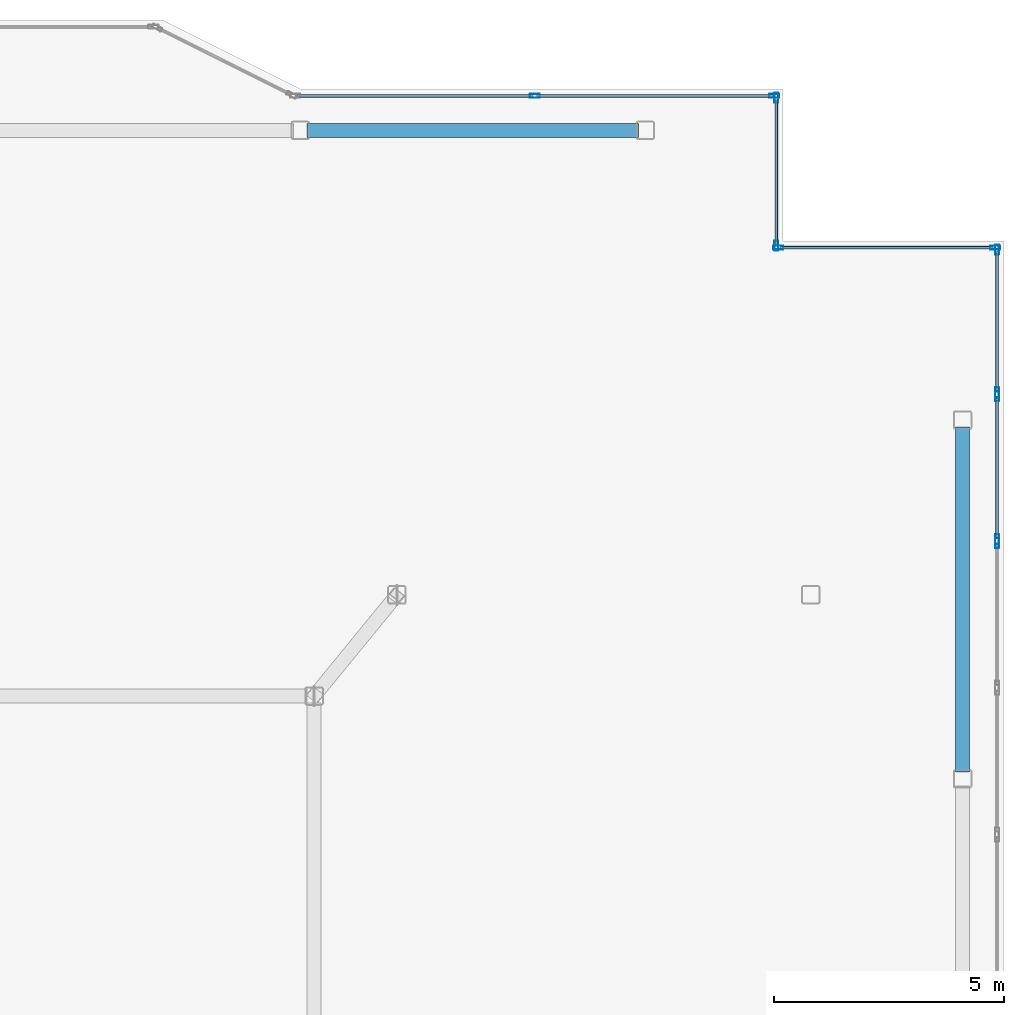
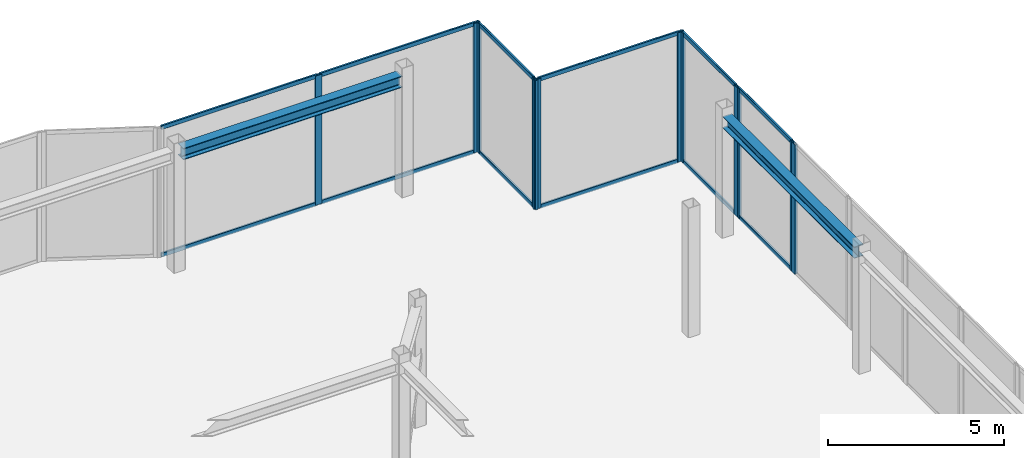
# One storey, part 12 of 14: 23 members, 2 beams, 6 elements without a shape of their own.
"""IFC4 building model written with IfcOpenShell, lengths in metres."""

from ifc_helpers import new_model, si_unit, direction, frame, origin, origin_2d, place, context, subcontext, project, spatial, hollow_rectangle, i_section, extrude, material, layer, layer_set, material_profile, profile_set, type_object, element, aggregate, save


model = new_model("IFC4")

# Units and contexts
model_context = context("Model", 3, precision=1e-05, world=origin(), true_north=direction((0.0, 1.0)))
body_context = subcontext(model_context, "Body", "Model", "MODEL_VIEW")
ifc_project = project(units=[si_unit("LENGTHUNIT", "METRE"), si_unit("AREAUNIT", "SQUARE_METRE"), si_unit("VOLUMEUNIT", "CUBIC_METRE"), si_unit("PLANEANGLEUNIT", "RADIAN"), si_unit("MASSUNIT", "GRAM", prefix="KILO")], contexts=[model_context])

# Site, building, storey
site_placement = place(None, origin())
site = spatial("IfcSite", under=ifc_project, at=site_placement, CompositionType="ELEMENT")
building_placement = place(site_placement, origin())
building = spatial("IfcBuilding", under=site, at=building_placement, Name="Tarnavaz Court Tower", CompositionType="ELEMENT")
storey_placement = place(building_placement, frame((0.0, 0.0, 286.050048828125)))
storey = spatial("IfcBuildingStorey", under=building, at=storey_placement, Name="C02", CompositionType="ELEMENT", Elevation=286.050048828125)

# Beams
ifc_material_1 = material(Name="Steel S355", Category="steel")
ifc_material_profile_1 = material_profile(ifc_material_1, i_section(OverallWidth=0.300048828125, OverallDepth=0.39990234375, WebThickness=0.013427734375, FlangeThickness=0.02392578125, FilletRadius=0.027099609375, at=origin_2d()), Name="HEB 400")
ifc_profile_set_1 = profile_set([ifc_material_profile_1], Name="Steel S355")
beam_type = type_object("IfcBeamType", Name="BM-G-HEB400", PredefinedType="USERDEFINED", material=ifc_profile_set_1)
beam_1_placement = place(storey_placement, frame((7.64990234375, 20.10009765625, 4.0), z_axis=(1.0, 0.0, 0.0), x_axis=(0.0, 1.0, 0.0)))
element("IfcBeam", 1, at=beam_1_placement, inside=storey, type_object=beam_type, Name="C02 Beam CRG-PN-3-PN-4", ObjectType="GIRDER", PredefinedType="USERDEFINED", context=body_context, shape_type="SweptSolid", body=[
    extrude(i_section(OverallWidth=0.300048828125, OverallDepth=0.39990234375, WebThickness=0.013427734375, FlangeThickness=0.02392578125, FilletRadius=0.027099609375, at=origin_2d()), origin(), (0.0, 0.0, 1.0), 7.2001953125),
])
beam_2_placement = place(storey_placement, frame((21.89990234375, 6.14990234375, 4.0), z_axis=(0.0, 1.0, 0.0), x_axis=(-1.0, 0.0, 0.0)))
element("IfcBeam", 2, at=beam_2_placement, inside=storey, type_object=beam_type, Name="C02 Beam CRG-PE-3-PE-4", ObjectType="GIRDER", PredefinedType="USERDEFINED", context=body_context, shape_type="SweptSolid", body=[
    extrude(i_section(OverallWidth=0.300048828125, OverallDepth=0.39990234375, WebThickness=0.013427734375, FlangeThickness=0.02392578125, FilletRadius=0.027099609375, at=origin_2d()), origin(), (0.0, 0.0, 1.0), 7.5),
])

# Curtain wall, members
ifc_material_2 = material(Name="Anodised Aluminium 6063-T6 and Solar Low-E Glazing", Category="aluminium")
ifc_layer = layer(ifc_material_2, 0.2099609375)
ifc_layer_set = layer_set([ifc_layer], Name="Anodised Aluminium 6063-T6 and Solar Low-E Glazing")
curtain_wall_type = type_object("IfcCurtainWallType", Name="CW-SYS-06", PredefinedType="NOTDEFINED", material=ifc_layer_set)
curtain_wall_1_placement = place(storey_placement, origin())
curtain_wall_1 = element("IfcCurtainWall", 3, at=curtain_wall_1_placement, inside=storey, type_object=curtain_wall_type, Name="C02 Slanted Crown Terracotta Curtain Wall 21", PredefinedType="NOTDEFINED")
ifc_material_3 = material(Name="Anodised Aluminium 6063-T6", Category="aluminium")
ifc_material_profile_2 = material_profile(ifc_material_3, hollow_rectangle(XDim=0.0849609375, YDim=0.219970703125, WallThickness=0.006103515625, InnerFilletRadius=0.006103515625, OuterFilletRadius=0.011962890625, at=origin_2d()), Name="ALU RHS 220X85X6")
ifc_profile_set_2 = profile_set([ifc_material_profile_2], Name="Anodised Aluminium 6063-T6")
member_type_1 = type_object("IfcMemberType", Name="CW-MUL-220", PredefinedType="MULLION", material=ifc_profile_set_2)
member_1_placement = place(storey_placement, frame((12.60009765625, 20.85009765625, 0.0), z_axis=(0.0, 0.0, 1.0), x_axis=(0.0, 1.0, 0.0)))
member_1 = element("IfcMember", 4, at=member_1_placement, type_object=member_type_1, Name="CW mullion 2", PredefinedType="MULLION", context=body_context, shape_type="SweptSolid", body=[
    extrude(hollow_rectangle(XDim=0.0849609375, YDim=0.219970703125, WallThickness=0.006103515625, InnerFilletRadius=0.006103515625, OuterFilletRadius=0.011962890625, at=origin_2d()), origin(), (0.0, 0.0, 1.0), 4.5),
])
member_2_placement = place(storey_placement, frame((17.8076171875, 20.85009765625, 0.0), z_axis=(0.0, 0.0, 1.0), x_axis=(0.0, 1.0, 0.0)))
member_2 = element("IfcMember", 5, at=member_2_placement, type_object=member_type_1, Name="CW mullion 3", PredefinedType="MULLION", context=body_context, shape_type="SweptSolid", body=[
    extrude(hollow_rectangle(XDim=0.0849609375, YDim=0.219970703125, WallThickness=0.006103515625, InnerFilletRadius=0.006103515625, OuterFilletRadius=0.011962890625, at=origin_2d()), origin(), (0.0, 0.0, 1.0), 4.5),
])

curtain_wall_2_placement = place(storey_placement, origin())
curtain_wall_2 = element("IfcCurtainWall", 6, at=curtain_wall_2_placement, inside=storey, type_object=curtain_wall_type, Name="C02 Slanted Crown Terracotta Curtain Wall 22", PredefinedType="NOTDEFINED")
member_3_placement = place(storey_placement, frame((17.85009765625, 20.8076171875, 0.0), z_axis=(0.0, 0.0, 1.0), x_axis=(1.0, 0.0, 0.0)))
member_3 = element("IfcMember", 7, at=member_3_placement, type_object=member_type_1, Name="CW mullion 1", PredefinedType="MULLION", context=body_context, shape_type="SweptSolid", body=[
    extrude(hollow_rectangle(XDim=0.0849609375, YDim=0.219970703125, WallThickness=0.006103515625, InnerFilletRadius=0.006103515625, OuterFilletRadius=0.011962890625, at=origin_2d()), origin(), (0.0, 0.0, 1.0), 4.5),
])
member_4_placement = place(storey_placement, frame((17.85009765625, 17.592529296875, 0.0), z_axis=(0.0, 0.0, 1.0), x_axis=(1.0, 0.0, 0.0)))
member_4 = element("IfcMember", 8, at=member_4_placement, type_object=member_type_1, Name="CW mullion 2", PredefinedType="MULLION", context=body_context, shape_type="SweptSolid", body=[
    extrude(hollow_rectangle(XDim=0.0849609375, YDim=0.219970703125, WallThickness=0.006103515625, InnerFilletRadius=0.006103515625, OuterFilletRadius=0.011962890625, at=origin_2d()), origin(), (0.0, 0.0, 1.0), 4.5),
])

curtain_wall_3_placement = place(storey_placement, origin())
curtain_wall_3 = element("IfcCurtainWall", 9, at=curtain_wall_3_placement, inside=storey, type_object=curtain_wall_type, Name="C02 Slanted Crown Terracotta Curtain Wall 23", PredefinedType="NOTDEFINED")
member_5_placement = place(storey_placement, frame((17.892578125, 17.550048828125, 0.0), z_axis=(0.0, 0.0, 1.0), x_axis=(0.0, 1.0, 0.0)))
member_5 = element("IfcMember", 10, at=member_5_placement, type_object=member_type_1, Name="CW mullion 1", PredefinedType="MULLION", context=body_context, shape_type="SweptSolid", body=[
    extrude(hollow_rectangle(XDim=0.0849609375, YDim=0.219970703125, WallThickness=0.006103515625, InnerFilletRadius=0.006103515625, OuterFilletRadius=0.011962890625, at=origin_2d()), origin(), (0.0, 0.0, 1.0), 4.5),
])
member_6_placement = place(storey_placement, frame((22.607421875, 17.550048828125, 0.0), z_axis=(0.0, 0.0, 1.0), x_axis=(0.0, 1.0, 0.0)))
member_6 = element("IfcMember", 11, at=member_6_placement, type_object=member_type_1, Name="CW mullion 2", PredefinedType="MULLION", context=body_context, shape_type="SweptSolid", body=[
    extrude(hollow_rectangle(XDim=0.0849609375, YDim=0.219970703125, WallThickness=0.006103515625, InnerFilletRadius=0.006103515625, OuterFilletRadius=0.011962890625, at=origin_2d()), origin(), (0.0, 0.0, 1.0), 4.5),
])

curtain_wall_4_placement = place(storey_placement, origin())
curtain_wall_4 = element("IfcCurtainWall", 12, at=curtain_wall_4_placement, inside=storey, type_object=curtain_wall_type, Name="C02 Slanted Crown Terracotta Curtain Wall 24", PredefinedType="NOTDEFINED")
member_7_placement = place(storey_placement, frame((22.64990234375, 17.507568359375, 0.0), z_axis=(0.0, 0.0, 1.0), x_axis=(1.0, 0.0, 0.0)))
member_7 = element("IfcMember", 13, at=member_7_placement, type_object=member_type_1, Name="CW mullion 1", PredefinedType="MULLION", context=body_context, shape_type="SweptSolid", body=[
    extrude(hollow_rectangle(XDim=0.0849609375, YDim=0.219970703125, WallThickness=0.006103515625, InnerFilletRadius=0.006103515625, OuterFilletRadius=0.011962890625, at=origin_2d()), origin(), (0.0, 0.0, 1.0), 4.5),
])
member_8_placement = place(storey_placement, frame((22.64990234375, 14.401611328125, 0.0), z_axis=(0.0, 0.0, 1.0), x_axis=(1.0, 0.0, 0.0)))
member_8 = element("IfcMember", 14, at=member_8_placement, type_object=member_type_1, Name="CW mullion 2", PredefinedType="MULLION", context=body_context, shape_type="SweptSolid", body=[
    extrude(hollow_rectangle(XDim=0.0849609375, YDim=0.219970703125, WallThickness=0.006103515625, InnerFilletRadius=0.006103515625, OuterFilletRadius=0.011962890625, at=origin_2d()), origin(), (0.0, 0.0, 1.0), 4.5),
])

curtain_wall_5_placement = place(storey_placement, origin())
curtain_wall_5 = element("IfcCurtainWall", 15, at=curtain_wall_5_placement, inside=storey, type_object=curtain_wall_type, Name="C02 Slanted Crown Terracotta Curtain Wall 25", PredefinedType="NOTDEFINED")
member_9_placement = place(storey_placement, frame((22.64990234375, 14.316650390625, 0.0), z_axis=(0.0, 0.0, 1.0), x_axis=(1.0, 0.0, 0.0)))
member_9 = element("IfcMember", 16, at=member_9_placement, type_object=member_type_1, Name="CW mullion 1", PredefinedType="MULLION", context=body_context, shape_type="SweptSolid", body=[
    extrude(hollow_rectangle(XDim=0.0849609375, YDim=0.219970703125, WallThickness=0.006103515625, InnerFilletRadius=0.006103515625, OuterFilletRadius=0.011962890625, at=origin_2d()), origin(), (0.0, 0.0, 1.0), 4.5),
])
member_10_placement = place(storey_placement, frame((22.64990234375, 11.210693359375, 0.0), z_axis=(0.0, 0.0, 1.0), x_axis=(1.0, 0.0, 0.0)))
member_10 = element("IfcMember", 17, at=member_10_placement, type_object=member_type_1, Name="CW mullion 2", PredefinedType="MULLION", context=body_context, shape_type="SweptSolid", body=[
    extrude(hollow_rectangle(XDim=0.0849609375, YDim=0.219970703125, WallThickness=0.006103515625, InnerFilletRadius=0.006103515625, OuterFilletRadius=0.011962890625, at=origin_2d()), origin(), (0.0, 0.0, 1.0), 4.5),
])

# Curtain wall, member
curtain_wall_6_placement = place(storey_placement, origin())
curtain_wall_6 = element("IfcCurtainWall", 18, at=curtain_wall_6_placement, inside=storey, type_object=curtain_wall_type, Name="C02 Slanted Crown Terracotta Curtain Wall 26", PredefinedType="NOTDEFINED")
member_11_placement = place(storey_placement, frame((22.64990234375, 11.125732421875, 0.0), z_axis=(0.0, 0.0, 1.0), x_axis=(1.0, 0.0, 0.0)))
member_11 = element("IfcMember", 19, at=member_11_placement, type_object=member_type_1, Name="CW mullion 1", PredefinedType="MULLION", context=body_context, shape_type="SweptSolid", body=[
    extrude(hollow_rectangle(XDim=0.0849609375, YDim=0.219970703125, WallThickness=0.006103515625, InnerFilletRadius=0.006103515625, OuterFilletRadius=0.011962890625, at=origin_2d()), origin(), (0.0, 0.0, 1.0), 4.5),
])
aggregate(curtain_wall_6, [member_11])

# Member
ifc_material_profile_3 = material_profile(ifc_material_3, hollow_rectangle(XDim=0.06494140625, YDim=0.139892578125, WallThickness=0.00390625, InnerFilletRadius=0.00390625, OuterFilletRadius=0.008056640625, at=origin_2d()), Name="ALU RHS 140X65X4")
ifc_profile_set_3 = profile_set([ifc_material_profile_3], Name="Anodised Aluminium 6063-T6")
member_type_2 = type_object("IfcMemberType", Name="CW-TRN-140", PredefinedType="USERDEFINED", material=ifc_profile_set_3)
member_12_placement = place(storey_placement, frame((7.43505859375, 20.85009765625, 0.032470703125), z_axis=(1.0, 0.0, 0.0), x_axis=(0.0, 1.0, 0.0)))
member_12 = element("IfcMember", 20, at=member_12_placement, type_object=member_type_2, Name="CW transom 1.1", ObjectType="TRANSOM", PredefinedType="USERDEFINED", context=body_context, shape_type="SweptSolid", body=[
    extrude(hollow_rectangle(XDim=0.06494140625, YDim=0.139892578125, WallThickness=0.00390625, InnerFilletRadius=0.00390625, OuterFilletRadius=0.008056640625, at=origin_2d()), origin(), (0.0, 0.0, 1.0), 5.12255859375),
])

member_13_placement = place(storey_placement, frame((7.43505859375, 20.85009765625, 4.467529296875), z_axis=(1.0, 0.0, 0.0), x_axis=(0.0, 1.0, 0.0)))
member_13 = element("IfcMember", 21, at=member_13_placement, type_object=member_type_2, Name="CW transom 1.2", ObjectType="TRANSOM", PredefinedType="USERDEFINED", context=body_context, shape_type="SweptSolid", body=[
    extrude(hollow_rectangle(XDim=0.06494140625, YDim=0.139892578125, WallThickness=0.00390625, InnerFilletRadius=0.00390625, OuterFilletRadius=0.008056640625, at=origin_2d()), origin(), (0.0, 0.0, 1.0), 5.12255859375),
])

member_14_placement = place(storey_placement, frame((12.642578125, 20.85009765625, 0.032470703125), z_axis=(1.0, 0.0, 0.0), x_axis=(0.0, 1.0, 0.0)))
member_14 = element("IfcMember", 22, at=member_14_placement, type_object=member_type_2, Name="CW transom 2.1", ObjectType="TRANSOM", PredefinedType="USERDEFINED", context=body_context, shape_type="SweptSolid", body=[
    extrude(hollow_rectangle(XDim=0.06494140625, YDim=0.139892578125, WallThickness=0.00390625, InnerFilletRadius=0.00390625, OuterFilletRadius=0.008056640625, at=origin_2d()), origin(), (0.0, 0.0, 1.0), 5.122314453125),
])

member_15_placement = place(storey_placement, frame((12.642578125, 20.85009765625, 4.467529296875), z_axis=(1.0, 0.0, 0.0), x_axis=(0.0, 1.0, 0.0)))
member_15 = element("IfcMember", 23, at=member_15_placement, type_object=member_type_2, Name="CW transom 2.2", ObjectType="TRANSOM", PredefinedType="USERDEFINED", context=body_context, shape_type="SweptSolid", body=[
    extrude(hollow_rectangle(XDim=0.06494140625, YDim=0.139892578125, WallThickness=0.00390625, InnerFilletRadius=0.00390625, OuterFilletRadius=0.008056640625, at=origin_2d()), origin(), (0.0, 0.0, 1.0), 5.122314453125),
])

aggregate(curtain_wall_1, [member_1, member_2, member_12, member_13, member_14, member_15])

member_16_placement = place(storey_placement, frame((17.85009765625, 20.764892578125, 0.032470703125), z_axis=(0.0, -1.0, 0.0), x_axis=(1.0, 0.0, 0.0)))
member_16 = element("IfcMember", 24, at=member_16_placement, type_object=member_type_2, Name="CW transom 1.1", ObjectType="TRANSOM", PredefinedType="USERDEFINED", context=body_context, shape_type="SweptSolid", body=[
    extrude(hollow_rectangle(XDim=0.06494140625, YDim=0.139892578125, WallThickness=0.00390625, InnerFilletRadius=0.00390625, OuterFilletRadius=0.008056640625, at=origin_2d()), origin(), (0.0, 0.0, 1.0), 3.1298828125),
])

member_17_placement = place(storey_placement, frame((17.85009765625, 20.764892578125, 4.467529296875), z_axis=(0.0, -1.0, 0.0), x_axis=(1.0, 0.0, 0.0)))
member_17 = element("IfcMember", 25, at=member_17_placement, type_object=member_type_2, Name="CW transom 1.2", ObjectType="TRANSOM", PredefinedType="USERDEFINED", context=body_context, shape_type="SweptSolid", body=[
    extrude(hollow_rectangle(XDim=0.06494140625, YDim=0.139892578125, WallThickness=0.00390625, InnerFilletRadius=0.00390625, OuterFilletRadius=0.008056640625, at=origin_2d()), origin(), (0.0, 0.0, 1.0), 3.1298828125),
])

aggregate(curtain_wall_2, [member_3, member_4, member_16, member_17])

member_18_placement = place(storey_placement, frame((17.93505859375, 17.550048828125, 0.032470703125), z_axis=(1.0, 0.0, 0.0), x_axis=(0.0, 1.0, 0.0)))
member_18 = element("IfcMember", 26, at=member_18_placement, type_object=member_type_2, Name="CW transom 1.1", ObjectType="TRANSOM", PredefinedType="USERDEFINED", context=body_context, shape_type="SweptSolid", body=[
    extrude(hollow_rectangle(XDim=0.06494140625, YDim=0.139892578125, WallThickness=0.00390625, InnerFilletRadius=0.00390625, OuterFilletRadius=0.008056640625, at=origin_2d()), origin(), (0.0, 0.0, 1.0), 4.6298828125),
])

member_19_placement = place(storey_placement, frame((17.93505859375, 17.550048828125, 4.467529296875), z_axis=(1.0, 0.0, 0.0), x_axis=(0.0, 1.0, 0.0)))
member_19 = element("IfcMember", 27, at=member_19_placement, type_object=member_type_2, Name="CW transom 1.2", ObjectType="TRANSOM", PredefinedType="USERDEFINED", context=body_context, shape_type="SweptSolid", body=[
    extrude(hollow_rectangle(XDim=0.06494140625, YDim=0.139892578125, WallThickness=0.00390625, InnerFilletRadius=0.00390625, OuterFilletRadius=0.008056640625, at=origin_2d()), origin(), (0.0, 0.0, 1.0), 4.6298828125),
])

aggregate(curtain_wall_3, [member_5, member_6, member_18, member_19])

member_20_placement = place(storey_placement, frame((22.64990234375, 17.465087890625, 0.032470703125), z_axis=(0.0, -1.0, 0.0), x_axis=(1.0, 0.0, 0.0)))
member_20 = element("IfcMember", 28, at=member_20_placement, type_object=member_type_2, Name="CW transom 1.1", ObjectType="TRANSOM", PredefinedType="USERDEFINED", context=body_context, shape_type="SweptSolid", body=[
    extrude(hollow_rectangle(XDim=0.06494140625, YDim=0.139892578125, WallThickness=0.00390625, InnerFilletRadius=0.00390625, OuterFilletRadius=0.008056640625, at=origin_2d()), origin(), (0.0, 0.0, 1.0), 3.02099609375),
])

member_21_placement = place(storey_placement, frame((22.64990234375, 17.465087890625, 4.467529296875), z_axis=(0.0, -1.0, 0.0), x_axis=(1.0, 0.0, 0.0)))
member_21 = element("IfcMember", 29, at=member_21_placement, type_object=member_type_2, Name="CW transom 1.2", ObjectType="TRANSOM", PredefinedType="USERDEFINED", context=body_context, shape_type="SweptSolid", body=[
    extrude(hollow_rectangle(XDim=0.06494140625, YDim=0.139892578125, WallThickness=0.00390625, InnerFilletRadius=0.00390625, OuterFilletRadius=0.008056640625, at=origin_2d()), origin(), (0.0, 0.0, 1.0), 3.02099609375),
])

aggregate(curtain_wall_4, [member_7, member_8, member_20, member_21])

member_22_placement = place(storey_placement, frame((22.64990234375, 14.274169921875, 0.032470703125), z_axis=(0.0, -1.0, 0.0), x_axis=(1.0, 0.0, 0.0)))
member_22 = element("IfcMember", 30, at=member_22_placement, type_object=member_type_2, Name="CW transom 1.1", ObjectType="TRANSOM", PredefinedType="USERDEFINED", context=body_context, shape_type="SweptSolid", body=[
    extrude(hollow_rectangle(XDim=0.06494140625, YDim=0.139892578125, WallThickness=0.00390625, InnerFilletRadius=0.00390625, OuterFilletRadius=0.008056640625, at=origin_2d()), origin(), (0.0, 0.0, 1.0), 3.02099609375),
])

member_23_placement = place(storey_placement, frame((22.64990234375, 14.274169921875, 4.467529296875), z_axis=(0.0, -1.0, 0.0), x_axis=(1.0, 0.0, 0.0)))
member_23 = element("IfcMember", 31, at=member_23_placement, type_object=member_type_2, Name="CW transom 1.2", ObjectType="TRANSOM", PredefinedType="USERDEFINED", context=body_context, shape_type="SweptSolid", body=[
    extrude(hollow_rectangle(XDim=0.06494140625, YDim=0.139892578125, WallThickness=0.00390625, InnerFilletRadius=0.00390625, OuterFilletRadius=0.008056640625, at=origin_2d()), origin(), (0.0, 0.0, 1.0), 3.02099609375),
])

aggregate(curtain_wall_5, [member_9, member_10, member_22, member_23])

save(model, "model.ifc")
